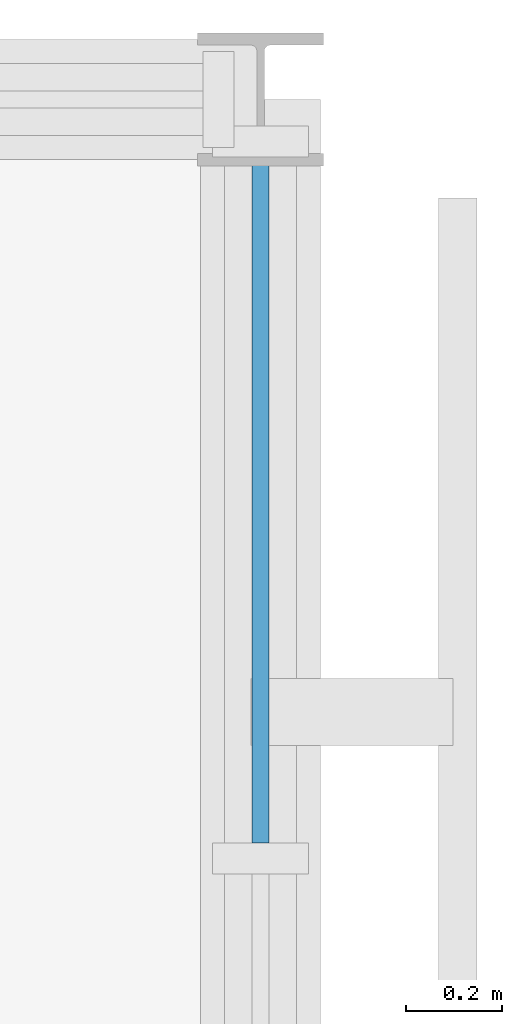
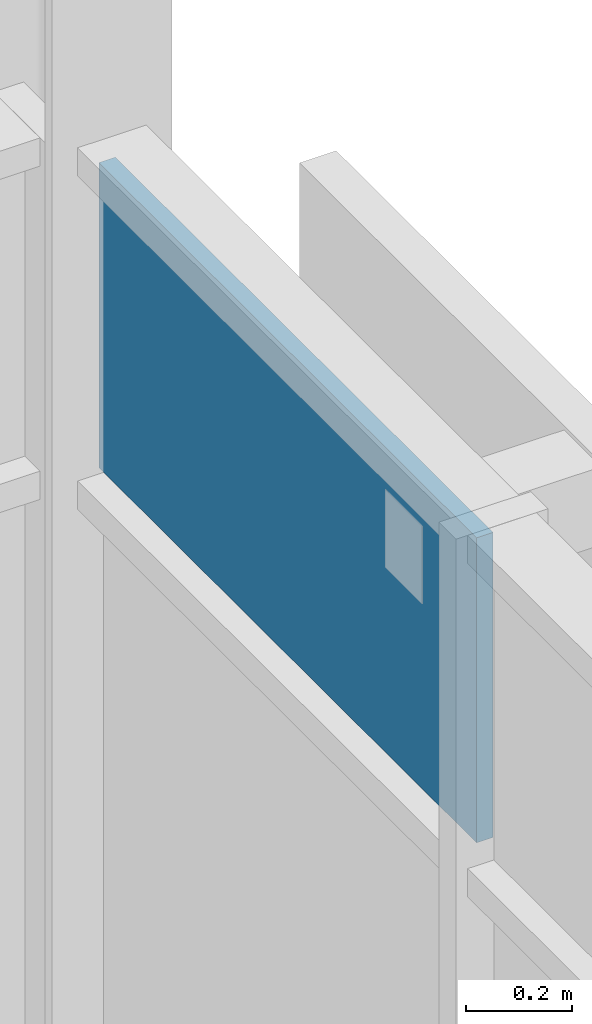
# One storey, part 56 of 84: 1 plate, 1 element without a shape of its own.
"""IFC4 building model written with IfcOpenShell, lengths in metres."""

from ifc_helpers import new_model, si_unit, direction, frame, origin, origin_2d, place, context, subcontext, project, spatial, rectangle, extrude, material, layer, layer_set, type_object, element, aggregate, save


model = new_model("IFC4")

# Units and contexts
model_context = context("Model", 3, precision=1e-05, world=origin(), true_north=direction((0.0, 1.0)))
body_context = subcontext(model_context, "Body", "Model", "MODEL_VIEW")
ifc_project = project(units=[si_unit("LENGTHUNIT", "METRE"), si_unit("AREAUNIT", "SQUARE_METRE"), si_unit("VOLUMEUNIT", "CUBIC_METRE"), si_unit("PLANEANGLEUNIT", "RADIAN"), si_unit("MASSUNIT", "GRAM", prefix="KILO")], contexts=[model_context])

# Site, building, storey
site_placement = place(None, origin())
site = spatial("IfcSite", under=ifc_project, at=site_placement, CompositionType="ELEMENT")
building_placement = place(site_placement, origin())
building = spatial("IfcBuilding", under=site, at=building_placement, Name="Mirzam Square Science Centre", CompositionType="ELEMENT")
storey_placement = place(building_placement, frame((0.0, 0.0, 10.800048828125)))
storey = spatial("IfcBuildingStorey", under=building, at=storey_placement, Name="L02", CompositionType="ELEMENT", Elevation=10.800048828125)

# Curtain wall, plate
ifc_material_1 = material(Name="Anodised Aluminium and Low-E Solar Glass", Category="aluminium")
ifc_layer_1 = layer(ifc_material_1, 0.179931640625)
ifc_layer_set_1 = layer_set([ifc_layer_1], Name="CW-LINK-A")
curtain_wall_type = type_object("IfcCurtainWallType", Name="CW-LINK-A", PredefinedType="USERDEFINED", material=ifc_layer_set_1)
curtain_wall_placement = place(storey_placement, origin())
curtain_wall = element("IfcCurtainWall", 1, at=curtain_wall_placement, inside=storey, type_object=curtain_wall_type, Name="L02 unitised curtain wall 122", ObjectType="UNITISED CURTAIN WALL", PredefinedType="USERDEFINED")
ifc_material_2 = material(Name="Laminated Low-Iron Observatory Solar Glass", Category="glass")
ifc_layer_2 = layer(ifc_material_2, 0.035888671875)
ifc_layer_set_2 = layer_set([ifc_layer_2], Name="CWP-GLZ-36")
plate_type = type_object("IfcPlateType", Name="CWP-GLZ-36", PredefinedType="CURTAIN_PANEL", material=ifc_layer_set_2)
plate_placement = place(storey_placement, frame((138.0, 110.767578125, 3.072265625), z_axis=(0.0, 0.0, 1.0), x_axis=(0.0, 1.0, 0.0)))
plate = element("IfcPlate", 2, at=plate_placement, type_object=plate_type, Name="CW-08 panel 4.3", PredefinedType="CURTAIN_PANEL", context=body_context, shape_type="SweptSolid", body=[
    extrude(rectangle(XDim=1.425048828125, YDim=0.035888671875, at=origin_2d()), origin(), (0.0, 0.0, 1.0), 0.702392578125),
])
aggregate(curtain_wall, [plate])

save(model, "model.ifc")
